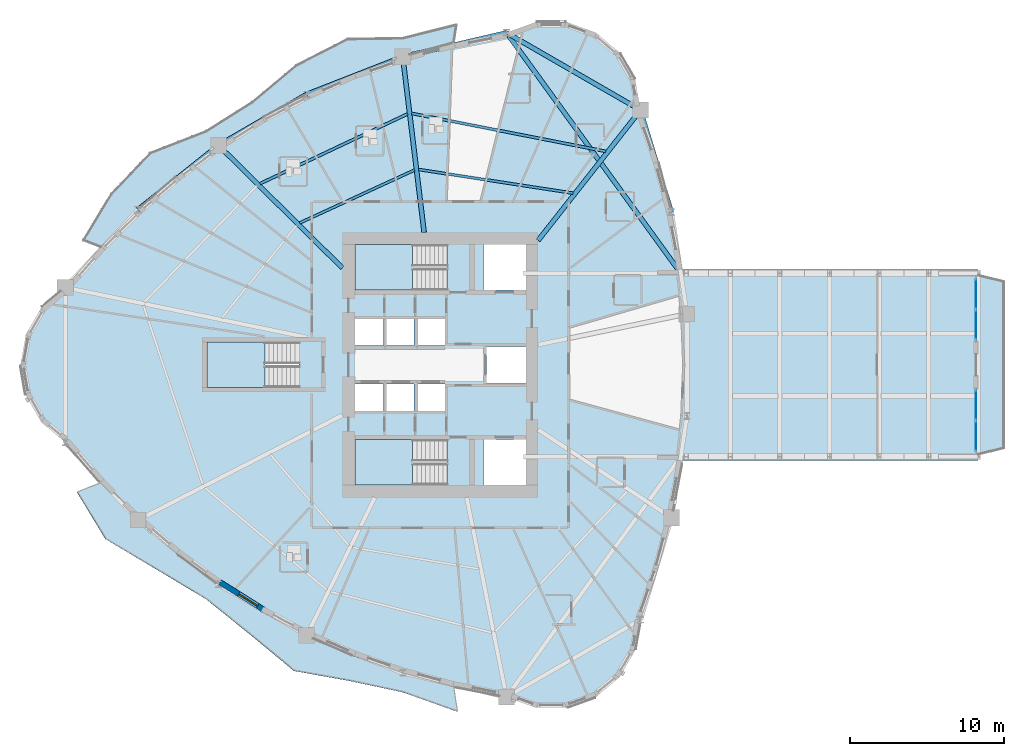
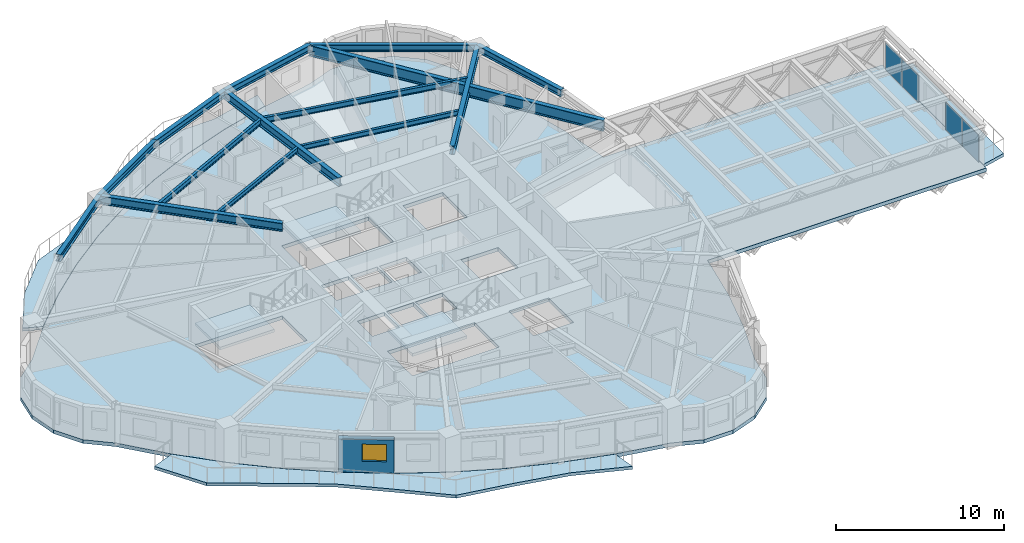
# One storey, part 3 of 16: 14 beams, 7 slabs, 4 plates, 1 wall, 1 window, 1 opening, 5 elements without a shape of their own.
"""IFC4 building model written with IfcOpenShell, lengths in metres."""

import ifcopenshell
import ifcopenshell.guid

model = None  # the IFC model being written
_history = None  # IfcOwnerHistory: only IFC2X3 demands one
_inside = {}  # id of a spatial element -> (the spatial element, [elements in it])
_under = {}  # id of a project, library or spatial element -> (it, [spatial elements below it])
_declared = {}  # id of a project -> (the project, [libraries it declares])
_typed = {}  # id of a type object -> (the type object, [elements of that type])
_made_of = {}  # id of a material, layer set ... -> (it, [elements and type objects made of it])


def new_model(schema):
    """Start an empty IFC model of exactly this schema.

    Asked for "IFC4X3", IfcOpenShell would pick the latest addendum, in which some entities
    have other attributes; the version numbers below select the first issue.
    IFC2X3 requires an IfcOwnerHistory on every rooted entity: one is made here for all.
    """
    global model, _history
    if schema == "IFC4X3":
        model = ifcopenshell.file(schema_version=(4, 3, 0, 0))
    else:
        model = ifcopenshell.file(schema=schema)
    _inside.clear()
    _under.clear()
    _declared.clear()
    _typed.clear()
    _made_of.clear()
    _history = None
    if model.schema == "IFC2X3":
        org = make("IfcOrganization", Name="unknown")
        user = make(
            "IfcPersonAndOrganization",
            ThePerson=make("IfcPerson", FamilyName="unknown"),
            TheOrganization=org,
        )
        app = make(
            "IfcApplication",
            ApplicationDeveloper=org,
            Version="unknown",
            ApplicationFullName="unknown",
            ApplicationIdentifier="unknown",
        )
        _history = make(
            "IfcOwnerHistory",
            OwningUser=user,
            OwningApplication=app,
            ChangeAction="ADDED",
            CreationDate=0,
        )
    return model


def make(cls, **values):
    """One entity of the class cls with the attributes given. An attribute that is None is left unset."""
    return model.create_entity(
        cls, **{name: value for name, value in values.items() if value is not None}
    )


def rooted(cls, **values):
    """An entity with a GlobalId (a new one), such as an element, a storey or a relation."""
    return make(cls, GlobalId=ifcopenshell.guid.new(), OwnerHistory=_history, **values)


def si_unit(unit_type, name, prefix=None):
    """IfcSIUnit, for example si_unit("LENGTHUNIT", "METRE", prefix="MILLI")."""
    return make("IfcSIUnit", UnitType=unit_type, Prefix=prefix, Name=name)


def assignment(units):
    """IfcUnitAssignment: the units of a project."""
    return None if units is None else make("IfcUnitAssignment", Units=units)


def point(xyz):
    """IfcCartesianPoint."""
    return None if xyz is None else make("IfcCartesianPoint", Coordinates=xyz)


def direction(xyz):
    """IfcDirection."""
    return None if xyz is None else make("IfcDirection", DirectionRatios=xyz)


def frame(location, z_axis=None, x_axis=None):
    """IfcAxis2Placement3D, a coordinate frame: its origin and axes. An axis left out is left unset."""
    return make(
        "IfcAxis2Placement3D",
        Location=point(location),
        Axis=direction(z_axis),
        RefDirection=direction(x_axis),
    )


def frame_2d(location, x_axis=None):
    """IfcAxis2Placement2D, a coordinate frame in the plane: its origin and x axis."""
    return make(
        "IfcAxis2Placement2D", Location=point(location), RefDirection=direction(x_axis)
    )


def origin():
    """The frame at (0, 0, 0) with its axes left unset."""
    return frame((0.0, 0.0, 0.0))


def origin_2d():
    """The frame at (0, 0) in the plane with its x axis left unset."""
    return frame_2d((0.0, 0.0))


def place(relative_to, where):
    """IfcLocalPlacement: puts the frame where relative to a parent placement (None: the world)."""
    return make(
        "IfcLocalPlacement", PlacementRelTo=relative_to, RelativePlacement=where
    )


def context(
    kind, dimensions, precision=None, world=None, true_north=None, identifier=None
):
    """IfcGeometricRepresentationContext, for example the 3D "Model" context."""
    return make(
        "IfcGeometricRepresentationContext",
        ContextIdentifier=identifier,
        ContextType=kind,
        CoordinateSpaceDimension=dimensions,
        Precision=precision,
        WorldCoordinateSystem=world,
        TrueNorth=true_north,
    )


def subcontext(parent, identifier, kind, view, scale=None):
    """IfcGeometricRepresentationSubContext, for example "Body" below "Model"."""
    return make(
        "IfcGeometricRepresentationSubContext",
        ContextIdentifier=identifier,
        ContextType=kind,
        ParentContext=parent,
        TargetScale=scale,
        TargetView=view,
    )


def project(units=None, contexts=None):
    """IfcProject with its units and contexts."""
    return rooted(
        "IfcProject",
        Name="project",
        RepresentationContexts=contexts,
        UnitsInContext=assignment(units),
    )


def spatial(cls, under=None, at=None, **own):
    """A site, building, storey or space (cls), placed at a placement, below another one or the project."""
    s = rooted(cls, ObjectPlacement=at, **own)
    if under is not None:
        _under.setdefault(under.id(), (under, []))[1].append(s)
    return s


def polyline(points):
    """IfcPolyline through the points."""
    return make("IfcPolyline", Points=[point(p) for p in points])


def profile(cls, at=None, kind="AREA", **sizes):
    """A parametric profile (cls). Its sizes go by their IFC names, for example OverallWidth=200.0."""
    return make(cls, ProfileType=kind, Position=at, **sizes)


def rectangle(**sizes):
    """IfcRectangleProfileDef."""
    return profile("IfcRectangleProfileDef", **sizes)


def i_section(**sizes):
    """IfcIShapeProfileDef."""
    return profile("IfcIShapeProfileDef", **sizes)


def outline(outer, holes=None, kind="AREA"):
    """IfcArbitraryClosedProfileDef: a profile drawn as a closed curve; with holes, ...WithVoids."""
    if holes is None:
        return make("IfcArbitraryClosedProfileDef", ProfileType=kind, OuterCurve=outer)
    return make(
        "IfcArbitraryProfileDefWithVoids",
        ProfileType=kind,
        OuterCurve=outer,
        InnerCurves=holes,
    )


def extrude(swept, where, along, depth):
    """IfcExtrudedAreaSolid: the profile swept, set in the frame where, extruded along a direction by depth."""
    return make(
        "IfcExtrudedAreaSolid",
        SweptArea=swept,
        Position=where,
        ExtrudedDirection=direction(along),
        Depth=depth,
    )


def shape(context_of_items, identifier, shape_type, items):
    """IfcShapeRepresentation: the items that make up one representation, for example the "Body"."""
    return make(
        "IfcShapeRepresentation",
        ContextOfItems=context_of_items,
        RepresentationIdentifier=identifier,
        RepresentationType=shape_type,
        Items=items,
    )


def source(mapping_origin, context_of_items, identifier, shape_type, items):
    """IfcRepresentationMap: a shape defined once, which mapped items show again and again."""
    return make(
        "IfcRepresentationMap",
        MappingOrigin=mapping_origin,
        MappedRepresentation=shape(context_of_items, identifier, shape_type, items),
    )


def transform(
    local_origin,
    x_axis=None,
    y_axis=None,
    z_axis=None,
    scale=None,
    scale2=None,
    scale3=None,
    uniform=True,
):
    """IfcCartesianTransformationOperator3D, or its non-uniform kind. x_axis, y_axis, z_axis: its Axis1, 2, 3."""
    if uniform:
        return make(
            "IfcCartesianTransformationOperator3D",
            Axis1=direction(x_axis),
            Axis2=direction(y_axis),
            LocalOrigin=point(local_origin),
            Scale=scale,
            Axis3=direction(z_axis),
        )
    return make(
        "IfcCartesianTransformationOperator3DnonUniform",
        Axis1=direction(x_axis),
        Axis2=direction(y_axis),
        LocalOrigin=point(local_origin),
        Scale=scale,
        Axis3=direction(z_axis),
        Scale2=scale2,
        Scale3=scale3,
    )


def mapped(mapping_source, mapping_target):
    """IfcMappedItem: shows the shape of a source again, moved by a transform."""
    return make(
        "IfcMappedItem", MappingSource=mapping_source, MappingTarget=mapping_target
    )


def material(Name=None, Category=None):
    """IfcMaterial."""
    return make("IfcMaterial", Name=Name, Category=Category)


def layer(
    of_material, thickness, ventilated=None, Name=None, Category=None, Priority=None
):
    """IfcMaterialLayer: one layer of a wall or slab, of a material (None: an air gap)."""
    return make(
        "IfcMaterialLayer",
        Material=of_material,
        LayerThickness=thickness,
        IsVentilated=ventilated,
        Name=Name,
        Category=Category,
        Priority=Priority,
    )


def layer_set(layers, Name=None):
    """IfcMaterialLayerSet."""
    return make("IfcMaterialLayerSet", MaterialLayers=layers, LayerSetName=Name)


def material_profile(
    of_material, cross_section, Name=None, Category=None, Priority=None
):
    """IfcMaterialProfile: a cross section and its material."""
    return make(
        "IfcMaterialProfile",
        Name=Name,
        Material=of_material,
        Profile=cross_section,
        Priority=Priority,
        Category=Category,
    )


def profile_set(profiles, Name=None, composite=None):
    """IfcMaterialProfileSet."""
    return make(
        "IfcMaterialProfileSet",
        Name=Name,
        MaterialProfiles=profiles,
        CompositeProfile=composite,
    )


def made_of(thing, what):
    """Note that an element or type object is made of a material, layer set ...; save() writes the relation."""
    if what is not None:
        _made_of.setdefault(what.id(), (what, []))[1].append(thing)
    return thing


def type_object(cls, material=None, **own):
    """A type object (cls), such as IfcWallType, which elements share."""
    return made_of(rooted(cls, **own), material)


def element(
    cls,
    number,
    at=None,
    inside=None,
    cuts=None,
    type_object=None,
    material=None,
    context=None,
    identifier="Body",
    shape_type=None,
    held_by="IfcProductDefinitionShape",
    body=None,
    shapes=None,
    **own,
):
    """One element of the class cls, such as IfcWall. Its Tag is "e" and its number.

    at: its placement. inside: the storey or other place that contains it. cuts: it is an
    opening in that element (IfcRelVoidsElement). A single representation is given by context,
    identifier, shape_type and body (its items); several are given by shapes. held_by: the class
    of the entity that holds the representations. save() writes the other relations.
    """
    e = rooted(cls, Tag="e%d" % number, ObjectPlacement=at, **own)
    if body is not None:
        shapes = [shape(context, identifier, shape_type, body)]
    if shapes is not None:
        e.Representation = make(held_by, Representations=shapes)
    if inside is not None:
        _inside.setdefault(inside.id(), (inside, []))[1].append(e)
    if cuts is not None:
        rooted(
            "IfcRelVoidsElement", RelatingBuildingElement=cuts, RelatedOpeningElement=e
        )
    if type_object is not None:
        _typed.setdefault(type_object.id(), (type_object, []))[1].append(e)
    return made_of(e, material)


def fill(opening, filler):
    """IfcRelFillsElement: the door or window that sits in an opening."""
    return rooted(
        "IfcRelFillsElement",
        RelatingOpeningElement=opening,
        RelatedBuildingElement=filler,
    )


def aggregate(whole, parts):
    """IfcRelAggregates: a whole, such as a stair, and the parts it consists of."""
    return rooted("IfcRelAggregates", RelatingObject=whole, RelatedObjects=parts)


def save(model, path):
    """Write the relations noted so far, then the file.

    IfcRelAggregates (storeys below a building ...), IfcRelContainedInSpatialStructure (elements
    in a storey), IfcRelDefinesByType, IfcRelAssociatesMaterial and IfcRelDeclares: one each for
    every whole, place, type object, material and project.
    """
    for whole, parts in _under.values():
        aggregate(whole, parts)
    for where, things in _inside.values():
        rooted(
            "IfcRelContainedInSpatialStructure",
            RelatedElements=things,
            RelatingStructure=where,
        )
    for kind, things in _typed.values():
        rooted("IfcRelDefinesByType", RelatedObjects=things, RelatingType=kind)
    for what, things in _made_of.values():
        rooted("IfcRelAssociatesMaterial", RelatedObjects=things, RelatingMaterial=what)
    for by, libraries in _declared.values():
        rooted("IfcRelDeclares", RelatingContext=by, RelatedDefinitions=libraries)
    model.write(path)


model = new_model("IFC4")

# Units and contexts
model_context = context("Model", 3, precision=1e-05, world=origin(), true_north=direction((0.0, 1.0)))
body_context = subcontext(model_context, "Body", "Model", "MODEL_VIEW")
ifc_project = project(units=[si_unit("LENGTHUNIT", "METRE"), si_unit("AREAUNIT", "SQUARE_METRE"), si_unit("VOLUMEUNIT", "CUBIC_METRE"), si_unit("PLANEANGLEUNIT", "RADIAN"), si_unit("MASSUNIT", "GRAM", prefix="KILO")], contexts=[model_context])

# Site, building, storey
site_placement = place(None, origin())
site = spatial("IfcSite", under=ifc_project, at=site_placement, CompositionType="ELEMENT")
building_placement = place(site_placement, origin())
building = spatial("IfcBuilding", under=site, at=building_placement, Name="Qafzar Sky-Pleat Residences", CompositionType="ELEMENT")
storey_placement = place(building_placement, frame((0.0, 0.0, 30.199951171875)))
storey = spatial("IfcBuildingStorey", under=building, at=storey_placement, Name="L08", CompositionType="ELEMENT", Elevation=30.199951171875)

# Beams
ifc_material_1 = material(Name="Steel S355", Category="steel")
ifc_material_profile_1 = material_profile(ifc_material_1, i_section(OverallWidth=0.300048828125, OverallDepth=0.5, WebThickness=0.014404296875, FlangeThickness=0.028076171875, FilletRadius=0.027099609375, at=origin_2d()), Name="HEB 500")
ifc_profile_set_1 = profile_set([ifc_material_profile_1], Name="Steel S355")
beam_type_1 = type_object("IfcBeamType", Name="BM-SPAN-HEB500", PredefinedType="SPANDREL", material=ifc_profile_set_1)
shared_shape_1 = source(origin(), body_context, "Body", "SweptSolid", [
    extrude(i_section(OverallWidth=0.300048828125, OverallDepth=0.5, WebThickness=0.014404296875, FlangeThickness=0.028076171875, FilletRadius=0.027099609375, at=origin_2d()), origin(), (0.0, 0.0, 1.0), 10.0458984375),
])
beam_1_placement = place(storey_placement, frame((43.344970703125, 42.532470703125, 2.68310546875), z_axis=(-0.866024107753, 0.500002244785, 0.0), x_axis=(-0.500002244785, -0.866024107753, 0.0)))
element("IfcBeam", 1, at=beam_1_placement, inside=storey, type_object=beam_type_1, Name="L08 Perimeter Spandrel Beam 13", PredefinedType="SPANDREL", context=body_context, shape_type="MappedRepresentation", body=[
    mapped(shared_shape_1, transform((0.0, 0.0, 0.0), x_axis=(1.0, 0.0, 0.0), y_axis=(0.0, 1.0, 0.0), z_axis=(0.0, 0.0, 1.0), scale=1.0)),
])
shared_shape_2 = source(origin(), body_context, "Body", "SweptSolid", [
    extrude(i_section(OverallWidth=0.300048828125, OverallDepth=0.5, WebThickness=0.014404296875, FlangeThickness=0.028076171875, FilletRadius=0.027099609375, at=origin_2d()), origin(), (0.0, 0.0, 1.0), 6.689208984375),
])
beam_2_placement = place(storey_placement, frame((15.956298828125, 40.247314453125, 2.68310546875), z_axis=(-0.781064615855, -0.624450210872, 0.0), x_axis=(0.624450210872, -0.781064615855, 0.0)))
element("IfcBeam", 2, at=beam_2_placement, inside=storey, type_object=beam_type_1, Name="L08 Perimeter Spandrel Beam 17", PredefinedType="SPANDREL", context=body_context, shape_type="MappedRepresentation", body=[
    mapped(shared_shape_2, transform((0.0, 0.0, 0.0), x_axis=(1.0, 0.0, 0.0), y_axis=(0.0, 1.0, 0.0), z_axis=(0.0, 0.0, 1.0), scale=1.0)),
])
shared_shape_3 = source(origin(), body_context, "Body", "SweptSolid", [
    extrude(i_section(OverallWidth=0.300048828125, OverallDepth=0.5, WebThickness=0.014404296875, FlangeThickness=0.028076171875, FilletRadius=0.027099609375, at=origin_2d()), origin(), (0.0, 0.0, 1.0), 6.61279296875),
])
beam_3_placement = place(storey_placement, frame((21.68310546875, 43.553955078125, 2.68310546875), z_axis=(-0.866007902399, -0.500030312064, 0.0), x_axis=(0.500030312064, -0.866007902399, 0.0)))
element("IfcBeam", 3, at=beam_3_placement, inside=storey, type_object=beam_type_1, Name="L08 Perimeter Spandrel Beam 16", PredefinedType="SPANDREL", context=body_context, shape_type="MappedRepresentation", body=[
    mapped(shared_shape_3, transform((0.0, 0.0, 0.0), x_axis=(1.0, 0.0, 0.0), y_axis=(0.0, 1.0, 0.0), z_axis=(0.0, 0.0, 1.0), scale=1.0)),
])
shared_shape_4 = source(origin(), body_context, "Body", "SweptSolid", [
    extrude(i_section(OverallWidth=0.300048828125, OverallDepth=0.5, WebThickness=0.014404296875, FlangeThickness=0.028076171875, FilletRadius=0.027099609375, at=origin_2d()), origin(), (0.0, 0.0, 1.0), 6.68896484375),
])
beam_4_placement = place(storey_placement, frame((27.912841796875, 45.989990234375, 2.68310546875), z_axis=(-0.931328375536, -0.364180527927, 0.0), x_axis=(0.364180527927, -0.931328375536, 0.0)))
element("IfcBeam", 4, at=beam_4_placement, inside=storey, type_object=beam_type_1, Name="L08 Perimeter Spandrel Beam 15", PredefinedType="SPANDREL", context=body_context, shape_type="MappedRepresentation", body=[
    mapped(shared_shape_4, transform((0.0, 0.0, 0.0), x_axis=(1.0, 0.0, 0.0), y_axis=(0.0, 1.0, 0.0), z_axis=(0.0, 0.0, 1.0), scale=1.0)),
])
shared_shape_5 = source(origin(), body_context, "Body", "SweptSolid", [
    extrude(i_section(OverallWidth=0.300048828125, OverallDepth=0.5, WebThickness=0.014404296875, FlangeThickness=0.028076171875, FilletRadius=0.027099609375, at=origin_2d()), origin(), (0.0, 0.0, 1.0), 6.911865234375),
])
for number, where, z_axis, x_axis, name in (
    (5, (45.355224609375, 35.91943359375, 2.68310546875), (-0.290842539179, 0.956770932566, 0.0), (-0.956770932566, -0.290842539179, 0.0), "L08 Perimeter Spandrel Beam 12"),
    (6, (34.64501953125, 47.555419921875, 2.68310546875), (-0.97401418861, -0.226486998273, 0.0), (0.226486998273, -0.97401418861, 0.0), "L08 Perimeter Spandrel Beam 14"),
):
    element("IfcBeam", number, at=place(storey_placement, frame(where, z_axis=z_axis, x_axis=x_axis)), inside=storey, type_object=beam_type_1, Name=name, PredefinedType="SPANDREL", context=body_context, shape_type="MappedRepresentation", body=[
        mapped(shared_shape_5, transform((0.0, 0.0, 0.0), x_axis=(1.0, 0.0, 0.0), y_axis=(0.0, 1.0, 0.0), z_axis=(0.0, 0.0, 1.0), scale=1.0)),
    ])
ifc_material_profile_2 = material_profile(ifc_material_1, i_section(OverallWidth=0.300048828125, OverallDepth=0.60009765625, WebThickness=0.015380859375, FlangeThickness=0.030029296875, FilletRadius=0.027099609375, at=origin_2d()), Name="HEB 600")
ifc_profile_set_2 = profile_set([ifc_material_profile_2], Name="Steel S355")
beam_type_2 = type_object("IfcBeamType", Name="BM-GIRD-HEB600", PredefinedType="BEAM", material=ifc_profile_set_2)
shared_shape_6 = source(origin(), body_context, "Body", "SweptSolid", [
    extrude(i_section(OverallWidth=0.300048828125, OverallDepth=0.60009765625, WebThickness=0.015380859375, FlangeThickness=0.030029296875, FilletRadius=0.027099609375, at=origin_2d()), origin(), (0.0, 0.0, 1.0), 10.7529296875),
])
beam_5_placement = place(storey_placement, frame((43.344970703125, 42.532470703125, 2.633056640625), z_axis=(-0.617976963314, -0.786196205036, 0.0), x_axis=(0.786196205036, -0.617976963314, 0.0)))
element("IfcBeam", 7, at=beam_5_placement, inside=storey, type_object=beam_type_2, Name="L08 Radial Floor Girder 13", PredefinedType="BEAM", context=body_context, shape_type="MappedRepresentation", body=[
    mapped(shared_shape_6, transform((0.0, 0.0, 0.0), x_axis=(1.0, 0.0, 0.0), y_axis=(0.0, 1.0, 0.0), z_axis=(0.0, 0.0, 1.0), scale=1.0)),
])
shared_shape_7 = source(origin(), body_context, "Body", "SweptSolid", [
    extrude(i_section(OverallWidth=0.300048828125, OverallDepth=0.60009765625, WebThickness=0.015380859375, FlangeThickness=0.030029296875, FilletRadius=0.027099609375, at=origin_2d()), origin(), (0.0, 0.0, 1.0), 11.47412109375),
])
beam_6_placement = place(storey_placement, frame((27.912841796875, 45.989990234375, 2.633056640625), z_axis=(0.121025228115, -0.992649431652, 0.0), x_axis=(0.992649431652, 0.121025228115, 0.0)))
element("IfcBeam", 8, at=beam_6_placement, inside=storey, type_object=beam_type_2, Name="L08 Radial Floor Girder 15", PredefinedType="BEAM", context=body_context, shape_type="MappedRepresentation", body=[
    mapped(shared_shape_7, transform((0.0, 0.0, 0.0), x_axis=(1.0, 0.0, 0.0), y_axis=(0.0, 1.0, 0.0), z_axis=(0.0, 0.0, 1.0), scale=1.0)),
])
shared_shape_8 = source(origin(), body_context, "Body", "SweptSolid", [
    extrude(i_section(OverallWidth=0.300048828125, OverallDepth=0.60009765625, WebThickness=0.015380859375, FlangeThickness=0.030029296875, FilletRadius=0.027099609375, at=origin_2d()), origin(), (0.0, 0.0, 1.0), 11.31787109375),
])
beam_7_placement = place(storey_placement, frame((15.956298828125, 40.247314453125, 2.633056640625), z_axis=(0.710710748184, -0.703484351224, 0.0), x_axis=(0.703484351224, 0.710710748184, 0.0)))
element("IfcBeam", 9, at=beam_7_placement, inside=storey, type_object=beam_type_2, Name="L08 Radial Floor Girder 17", PredefinedType="BEAM", context=body_context, shape_type="MappedRepresentation", body=[
    mapped(shared_shape_8, transform((0.0, 0.0, 0.0), x_axis=(1.0, 0.0, 0.0), y_axis=(0.0, 1.0, 0.0), z_axis=(0.0, 0.0, 1.0), scale=1.0)),
])
ifc_material_profile_3 = material_profile(ifc_material_1, i_section(OverallWidth=0.179931640625, OverallDepth=0.39990234375, WebThickness=0.008544921875, FlangeThickness=0.013427734375, FilletRadius=0.02099609375, at=origin_2d()), Name="IPE 400")
ifc_profile_set_3 = profile_set([ifc_material_profile_3], Name="Steel S355")
beam_type_3 = type_object("IfcBeamType", Name="BM-JST-IPE400", PredefinedType="JOIST", material=ifc_profile_set_3)
shared_shape_9 = source(origin(), body_context, "Body", "SweptSolid", [
    extrude(i_section(OverallWidth=0.179931640625, OverallDepth=0.39990234375, WebThickness=0.008544921875, FlangeThickness=0.013427734375, FilletRadius=0.02099609375, at=origin_2d()), origin(), (0.0, 0.0, 1.0), 12.83544921875),
])
beam_8_placement = place(storey_placement, frame((41.086181640625, 39.85302734375, 2.733154296875), z_axis=(-0.98136997389, 0.192127495034, 0.0), x_axis=(-0.192127495034, -0.98136997389, 0.0)))
element("IfcBeam", 10, at=beam_8_placement, inside=storey, type_object=beam_type_3, Name="L08 Outer Secondary Floor Joist 7", PredefinedType="JOIST", context=body_context, shape_type="MappedRepresentation", body=[
    mapped(shared_shape_9, transform((0.0, 0.0, 0.0), x_axis=(1.0, 0.0, 0.0), y_axis=(0.0, 1.0, 0.0), z_axis=(0.0, 0.0, 1.0), scale=1.0)),
])
shared_shape_10 = source(origin(), body_context, "Body", "SweptSolid", [
    extrude(i_section(OverallWidth=0.179931640625, OverallDepth=0.39990234375, WebThickness=0.008544921875, FlangeThickness=0.013427734375, FilletRadius=0.02099609375, at=origin_2d()), origin(), (0.0, 0.0, 1.0), 10.599609375),
])
beam_9_placement = place(storey_placement, frame((28.235107421875, 42.287353515625, 2.733154296875), z_axis=(-0.904072428316, -0.427379274602, 0.0), x_axis=(0.427379274602, -0.904072428316, 0.0)))
element("IfcBeam", 11, at=beam_9_placement, inside=storey, type_object=beam_type_3, Name="L08 Outer Secondary Floor Joist 8", PredefinedType="JOIST", context=body_context, shape_type="MappedRepresentation", body=[
    mapped(shared_shape_10, transform((0.0, 0.0, 0.0), x_axis=(1.0, 0.0, 0.0), y_axis=(0.0, 1.0, 0.0), z_axis=(0.0, 0.0, 1.0), scale=1.0)),
])
ifc_material_profile_4 = material_profile(ifc_material_1, i_section(OverallWidth=0.169921875, OverallDepth=0.360107421875, WebThickness=0.008056640625, FlangeThickness=0.0126953125, FilletRadius=0.01806640625, at=origin_2d()), Name="IPE 360")
ifc_profile_set_4 = profile_set([ifc_material_profile_4], Name="Steel S355")
beam_type_4 = type_object("IfcBeamType", Name="BM-JST-IPE360", PredefinedType="JOIST", material=ifc_profile_set_4)
shared_shape_11 = source(origin(), body_context, "Body", "SweptSolid", [
    extrude(i_section(OverallWidth=0.169921875, OverallDepth=0.360107421875, WebThickness=0.008056640625, FlangeThickness=0.0126953125, FilletRadius=0.01806640625, at=origin_2d()), origin(), (0.0, 0.0, 1.0), 10.140869140625),
])
beam_10_placement = place(storey_placement, frame((38.958740234375, 37.142333984375, 2.7529296875), z_axis=(-0.988438399373, 0.15162298851, 0.0), x_axis=(-0.15162298851, -0.988438399373, 0.0)))
element("IfcBeam", 12, at=beam_10_placement, inside=storey, type_object=beam_type_4, Name="L08 Inner Secondary Floor Joist 7", PredefinedType="JOIST", context=body_context, shape_type="MappedRepresentation", body=[
    mapped(shared_shape_11, transform((0.0, 0.0, 0.0), x_axis=(1.0, 0.0, 0.0), y_axis=(0.0, 1.0, 0.0), z_axis=(0.0, 0.0, 1.0), scale=1.0)),
])
shared_shape_12 = source(origin(), body_context, "Body", "SweptSolid", [
    extrude(i_section(OverallWidth=0.169921875, OverallDepth=0.360107421875, WebThickness=0.008056640625, FlangeThickness=0.0126953125, FilletRadius=0.01806640625, at=origin_2d()), origin(), (0.0, 0.0, 1.0), 8.2060546875),
])
beam_11_placement = place(storey_placement, frame((28.678955078125, 38.643798828125, 2.7529296875), z_axis=(-0.908140422144, -0.418665706343, 0.0), x_axis=(0.418665706343, -0.908140422144, 0.0)))
element("IfcBeam", 13, at=beam_11_placement, inside=storey, type_object=beam_type_4, Name="L08 Inner Secondary Floor Joist 8", PredefinedType="JOIST", context=body_context, shape_type="MappedRepresentation", body=[
    mapped(shared_shape_12, transform((0.0, 0.0, 0.0), x_axis=(1.0, 0.0, 0.0), y_axis=(0.0, 1.0, 0.0), z_axis=(0.0, 0.0, 1.0), scale=1.0)),
])
ifc_material_2 = material(Name="Steel S460", Category="steel")
ifc_material_profile_5 = material_profile(ifc_material_2, i_section(OverallWidth=0.300048828125, OverallDepth=0.800048828125, WebThickness=0.017578125, FlangeThickness=0.032958984375, FilletRadius=0.030029296875, at=origin_2d()), Name="HEB 800")
ifc_profile_set_5 = profile_set([ifc_material_profile_5], Name="Steel S460")
beam_type_5 = type_object("IfcBeamType", Name="BM-CHORD-HEB800", PredefinedType="BEAM", material=ifc_profile_set_5)
shared_shape_13 = source(origin(), body_context, "Body", "SweptSolid", [
    extrude(i_section(OverallWidth=0.300048828125, OverallDepth=0.800048828125, WebThickness=0.017578125, FlangeThickness=0.032958984375, FilletRadius=0.030029296875, at=origin_2d()), origin(), (0.0, 0.0, 1.0), 19.27001953125),
])
beam_12_placement = place(storey_placement, frame((34.64501953125, 47.555419921875, 2.532958984375), z_axis=(0.586660264458, -0.809833152017, 0.0), x_axis=(0.809833152017, 0.586660264458, 0.0)))
element("IfcBeam", 14, at=beam_12_placement, inside=storey, type_object=beam_type_5, Name="L08 SB-1 Wing-Belt Top Chord L", PredefinedType="BEAM", context=body_context, shape_type="MappedRepresentation", body=[
    mapped(shared_shape_13, transform((0.0, 0.0, 0.0), x_axis=(1.0, 0.0, 0.0), y_axis=(0.0, 1.0, 0.0), z_axis=(0.0, 0.0, 1.0), scale=1.0)),
])

# Slabs
ifc_material_3 = material(Name="Concrete C40/50", Category="concrete")
ifc_layer_1 = layer(ifc_material_3, 0.219970703125)
ifc_layer_set_1 = layer_set([ifc_layer_1], Name="Concrete C40/50")
slab_type_1 = type_object("IfcSlabType", Name="SLAB-BAL-220", PredefinedType="USERDEFINED", material=ifc_layer_set_1)
slab_1_placement = place(storey_placement, frame((0.0, 0.0, -0.219970703125)))
element("IfcSlab", 15, at=slab_1_placement, inside=storey, type_object=slab_type_1, Name="L08 Pleated Stone Balcony 1", ObjectType="BALCONY", PredefinedType="USERDEFINED", context=body_context, shape_type="SweptSolid", body=[
    extrude(outline(polyline([(27.91259765625, 46.001953125), (24.733154296875, 44.892578125), (21.67919921875, 43.565185546875), (18.7509765625, 42.02001953125), (15.948486328125, 40.256591796875), (13.27197265625, 38.275390625), (10.721435546875, 36.076416015625), (8.296875, 33.659912109375), (7.14306640625, 34.1083984375), (8.9609375, 37.10302734375), (11.4814453125, 39.767578125), (15.149169921875, 41.201904296875), (18.1318359375, 43.092041015625), (20.989013671875, 45.48291015625), (24.3359375, 47.189208984375), (27.9072265625, 47.239990234375), (31.406494140625, 48.11669921875), (31.218017578125, 46.893310546875), (27.91259765625, 46.001953125)])), origin(), (0.0, 0.0, 1.0), 0.219970703125),
])
slab_2_placement = place(storey_placement, frame((0.0, 0.0, -0.219970703125)))
element("IfcSlab", 16, at=slab_2_placement, inside=storey, type_object=slab_type_1, Name="L08 Pleated Stone Balcony 2", ObjectType="BALCONY", PredefinedType="USERDEFINED", context=body_context, shape_type="SweptSolid", body=[
    extrude(outline(polyline([(10.721435546875, 15.923583984375), (13.27197265625, 13.724609375), (15.948486328125, 11.743408203125), (18.7509765625, 9.97998046875), (21.67919921875, 8.434814453125), (24.733154296875, 7.107421875), (27.91259765625, 5.998046875), (31.218017578125, 5.106689453125), (31.46728515625, 3.48779296875), (27.9072265625, 4.760009765625), (24.4541015625, 5.493408203125), (20.853515625, 6.140869140625), (17.931884765625, 8.5615234375), (15.149169921875, 10.798095703125), (12.013671875, 12.67578125), (8.615478515625, 14.6953125), (6.770263671875, 17.74658203125), (8.296875, 18.340087890625), (10.721435546875, 15.923583984375)])), origin(), (0.0, 0.0, 1.0), 0.219970703125),
])
ifc_layer_2 = layer(ifc_material_3, 0.22998046875)
ifc_layer_set_2 = layer_set([ifc_layer_2], Name="Concrete C40/50")
slab_type_2 = type_object("IfcSlabType", Name="SLAB-BAL-230", PredefinedType="USERDEFINED", material=ifc_layer_set_2)
slab_3_placement = place(storey_placement, frame((0.0, 0.0, -0.22998046875)))
element("IfcSlab", 17, at=slab_3_placement, inside=storey, type_object=slab_type_2, Name="L08 SB-1 Tip Observation Balcony", ObjectType="BALCONY", PredefinedType="USERDEFINED", context=body_context, shape_type="SweptSolid", body=[
    extrude(outline(polyline([(65.26953125, 20.199951171875), (66.904541015625, 20.60009765625), (66.904541015625, 31.39990234375), (65.26953125, 31.800048828125), (65.26953125, 20.199951171875)])), origin(), (0.0, 0.0, 1.0), 0.22998046875),
])

# Stair, slab
stair_type = type_object("IfcStairType", Name="STAIR-H320", PredefinedType="HALF_TURN_STAIR", material=ifc_material_3)
stair_1_placement = place(storey_placement, origin())
stair_1 = element("IfcStair", 18, at=stair_1_placement, inside=storey, type_object=stair_type, Name="L08 Protected Exit Stair ST1", PredefinedType="HALF_TURN_STAIR")
ifc_layer_3 = layer(ifc_material_3, 0.199951171875)
ifc_layer_set_3 = layer_set([ifc_layer_3], Name="Concrete C40/50")
slab_type_3 = type_object("IfcSlabType", Name="SLAB-LANDING-200", PredefinedType="LANDING", material=ifc_layer_set_3)
slab_4_placement = place(storey_placement, frame((0.0, 0.0, 1.400146484375)))
slab_4 = element("IfcSlab", 19, at=slab_4_placement, type_object=slab_type_3, Name="ST1 landing 1", PredefinedType="LANDING", context=body_context, shape_type="SweptSolid", body=[
    extrude(outline(polyline([(28.56005859375, 21.14990234375), (24.800048828125, 21.14990234375), (24.800048828125, 18.199951171875), (28.56005859375, 18.199951171875), (28.56005859375, 21.14990234375)])), origin(), (0.0, 0.0, 1.0), 0.199951171875),
])
aggregate(stair_1, [slab_4])

stair_2_placement = place(storey_placement, origin())
stair_2 = element("IfcStair", 20, at=stair_2_placement, inside=storey, type_object=stair_type, Name="L08 Protected Exit Stair ST2", PredefinedType="HALF_TURN_STAIR")
slab_5_placement = place(storey_placement, frame((0.0, 0.0, 1.400146484375)))
slab_5 = element("IfcSlab", 21, at=slab_5_placement, type_object=slab_type_3, Name="ST2 landing 1", PredefinedType="LANDING", context=body_context, shape_type="SweptSolid", body=[
    extrude(outline(polyline([(28.56005859375, 33.800048828125), (24.800048828125, 33.800048828125), (24.800048828125, 30.85009765625), (28.56005859375, 30.85009765625), (28.56005859375, 33.800048828125)])), origin(), (0.0, 0.0, 1.0), 0.199951171875),
])
aggregate(stair_2, [slab_5])

stair_3_placement = place(storey_placement, origin())
stair_3 = element("IfcStair", 22, at=stair_3_placement, inside=storey, type_object=stair_type, Name="L08 Protected Exit Stair ST3", PredefinedType="HALF_TURN_STAIR")
slab_6_placement = place(storey_placement, frame((0.0, 0.0, 1.400146484375)))
slab_6 = element("IfcSlab", 23, at=slab_6_placement, type_object=slab_type_3, Name="ST3 landing 1", PredefinedType="LANDING", context=body_context, shape_type="SweptSolid", body=[
    extrude(outline(polyline([(18.9599609375, 27.47509765625), (15.199951171875, 27.47509765625), (15.199951171875, 24.52490234375), (18.9599609375, 24.52490234375), (18.9599609375, 27.47509765625)])), origin(), (0.0, 0.0, 1.0), 0.199951171875),
])
aggregate(stair_3, [slab_6])

# Slab
ifc_layer_4 = layer(ifc_material_3, 0.264892578125)
ifc_layer_set_4 = layer_set([ifc_layer_4], Name="Concrete C40/50")
slab_type_4 = type_object("IfcSlabType", Name="SLAB-SB-265", PredefinedType="FLOOR", material=ifc_layer_set_4)
slab_7_placement = place(storey_placement, frame((0.0, 0.0, -0.264892578125)))
element("IfcSlab", 24, at=slab_7_placement, inside=storey, type_object=slab_type_4, Name="L08 Structural Floor Slab", PredefinedType="FLOOR", context=body_context, shape_type="SweptSolid", body=[
    extrude(outline(polyline([(45.983642578125, 19.386962890625), (45.355224609375, 16.08056640625), (44.475830078125, 12.774169921875), (43.344970703125, 9.467529296875), (42.9951171875, 7.48388671875), (41.988037109375, 5.739501953125), (40.445068359375, 4.444580078125), (38.55224609375, 3.755615234375), (36.537841796875, 3.755615234375), (34.64501953125, 4.444580078125), (31.216064453125, 5.11865234375), (27.912841796875, 6.010009765625), (24.735107421875, 7.119384765625), (21.68310546875, 8.446044921875), (18.7568359375, 9.990478515625), (15.956298828125, 11.752685546875), (13.28125, 13.732421875), (10.731689453125, 15.9296875), (8.30810546875, 18.344482421875), (6.010009765625, 20.97705078125), (4.466796875, 22.271728515625), (3.459716796875, 24.016357421875), (3.110107421875, 26.0), (3.459716796875, 27.983642578125), (4.466796875, 29.728271484375), (6.010009765625, 31.02294921875), (8.30810546875, 33.655517578125), (10.731689453125, 36.0703125), (13.28125, 38.267578125), (15.956298828125, 40.247314453125), (18.7568359375, 42.009521484375), (21.68310546875, 43.553955078125), (24.735107421875, 44.880615234375), (27.912841796875, 45.989990234375), (31.216064453125, 46.88134765625), (34.64501953125, 47.555419921875), (36.537841796875, 48.244384765625), (38.55224609375, 48.244384765625), (40.445068359375, 47.555419921875), (41.988037109375, 46.260498046875), (42.9951171875, 44.51611328125), (43.344970703125, 42.532470703125), (44.475830078125, 39.225830078125), (45.355224609375, 35.91943359375), (45.983642578125, 32.613037109375), (46.03076171875, 32.199951171875), (65.25439453125, 32.199951171875), (65.25439453125, 19.800048828125), (46.03076171875, 19.800048828125), (45.983642578125, 19.386962890625)]), holes=[polyline([(30.797119140625, 21.14990234375), (24.800048828125, 21.14990234375), (24.800048828125, 18.199951171875), (30.797119140625, 18.199951171875), (30.797119140625, 21.14990234375)]), polyline([(30.797119140625, 33.800048828125), (24.800048828125, 33.800048828125), (24.800048828125, 30.85009765625), (30.797119140625, 30.85009765625), (30.797119140625, 33.800048828125)]), polyline([(21.197021484375, 27.47509765625), (15.199951171875, 27.47509765625), (15.199951171875, 24.52490234375), (21.197021484375, 24.52490234375), (21.197021484375, 27.47509765625)]), polyline([(24.800048828125, 22.949951171875), (26.64990234375, 22.949951171875), (26.64990234375, 24.75), (24.800048828125, 24.75), (24.800048828125, 22.949951171875)]), polyline([(26.800048828125, 22.949951171875), (28.64990234375, 22.949951171875), (28.64990234375, 24.75), (26.800048828125, 24.75), (26.800048828125, 22.949951171875)]), polyline([(28.800048828125, 22.949951171875), (30.64990234375, 22.949951171875), (30.64990234375, 24.75), (28.800048828125, 24.75), (28.800048828125, 22.949951171875)]), polyline([(24.800048828125, 27.25), (26.64990234375, 27.25), (26.64990234375, 29.050048828125), (24.800048828125, 29.050048828125), (24.800048828125, 27.25)]), polyline([(26.800048828125, 27.25), (28.64990234375, 27.25), (28.64990234375, 29.050048828125), (26.800048828125, 29.050048828125), (26.800048828125, 27.25)]), polyline([(28.800048828125, 27.25), (30.64990234375, 27.25), (30.64990234375, 29.050048828125), (28.800048828125, 29.050048828125), (28.800048828125, 27.25)]), polyline([(33.14990234375, 18.199951171875), (35.89990234375, 18.199951171875), (35.89990234375, 21.14990234375), (33.14990234375, 21.14990234375), (33.14990234375, 18.199951171875)]), polyline([(33.14990234375, 30.85009765625), (35.89990234375, 30.85009765625), (35.89990234375, 33.800048828125), (33.14990234375, 33.800048828125), (33.14990234375, 30.85009765625)]), polyline([(33.35009765625, 24.800048828125), (35.89990234375, 24.800048828125), (35.89990234375, 27.199951171875), (33.35009765625, 27.199951171875), (33.35009765625, 24.800048828125)])]), origin(), (0.0, 0.0, 1.0), 0.264892578125),
])

# Curtain wall, plates
ifc_material_4 = material(Name="Anodised bronze aluminium framing", Category="aluminium")
ifc_layer_5 = layer(ifc_material_4, 0.239990234375)
ifc_layer_set_5 = layer_set([ifc_layer_5], Name="Anodised bronze aluminium framing")
curtain_wall_type_1 = type_object("IfcCurtainWallType", Name="CW-SYS-02", PredefinedType="NOTDEFINED", material=ifc_layer_set_5)
curtain_wall_1_placement = place(storey_placement, origin())
curtain_wall_1 = element("IfcCurtainWall", 25, at=curtain_wall_1_placement, inside=storey, type_object=curtain_wall_type_1, Name="L08 CW-02 Curtain Wall CW-L08-SB-1-PROW-L", PredefinedType="NOTDEFINED")
ifc_material_5 = material(Name="Solar-control double low-E glazing", Category="glass")
ifc_layer_6 = layer(ifc_material_5, 0.031982421875)
ifc_layer_set_6 = layer_set([ifc_layer_6], Name="Solar-control double low-E glazing")
plate_type_1 = type_object("IfcPlateType", Name="CWP-02", PredefinedType="CURTAIN_PANEL", material=ifc_layer_set_6)
shared_shape_14 = source(origin(), body_context, "Body", "SweptSolid", [
    extrude(rectangle(XDim=1.927490234375, YDim=0.031982421875, at=origin_2d()), origin(), (0.0, 0.0, 1.0), 1.965087890625),
])
plate_1_placement = place(storey_placement, frame((65.1044921875, 30.601318359375, 0.0751953125), z_axis=(0.0, 0.0, 1.0), x_axis=(0.0, -1.0, 0.0)))
plate_1 = element("IfcPlate", 26, at=plate_1_placement, type_object=plate_type_1, Name="CW-02 panel 1.1", PredefinedType="CURTAIN_PANEL", context=body_context, shape_type="MappedRepresentation", body=[
    mapped(shared_shape_14, transform((0.0, 0.0, 0.0), x_axis=(1.0, 0.0, 0.0), y_axis=(0.0, 1.0, 0.0), z_axis=(0.0, 0.0, 1.0), scale=1.0)),
])
plate_2_placement = place(storey_placement, frame((65.1044921875, 28.5986328125, 0.0751953125), z_axis=(0.0, 0.0, 1.0), x_axis=(0.0, -1.0, 0.0)))
plate_2 = element("IfcPlate", 27, at=plate_2_placement, type_object=plate_type_1, Name="CW-02 panel 2.1", PredefinedType="CURTAIN_PANEL", context=body_context, shape_type="MappedRepresentation", body=[
    mapped(shared_shape_14, transform((0.0, 0.0, 0.0), x_axis=(1.0, 0.0, 0.0), y_axis=(0.0, 1.0, 0.0), z_axis=(0.0, 0.0, 1.0), scale=1.0)),
])
aggregate(curtain_wall_1, [plate_1, plate_2])

ifc_layer_7 = layer(ifc_material_4, 0.219970703125)
ifc_layer_set_7 = layer_set([ifc_layer_7], Name="Anodised bronze aluminium framing")
curtain_wall_type_2 = type_object("IfcCurtainWallType", Name="CW-SYS-03", PredefinedType="NOTDEFINED", material=ifc_layer_set_7)
curtain_wall_2_placement = place(storey_placement, origin())
curtain_wall_2 = element("IfcCurtainWall", 28, at=curtain_wall_2_placement, inside=storey, type_object=curtain_wall_type_2, Name="L08 CW-03 Curtain Wall CW-L08-SB-1-PROW-R", PredefinedType="NOTDEFINED")
ifc_layer_8 = layer(ifc_material_5, 0.030029296875)
ifc_layer_set_8 = layer_set([ifc_layer_8], Name="Solar-control double low-E glazing")
plate_type_2 = type_object("IfcPlateType", Name="CWP-03", PredefinedType="CURTAIN_PANEL", material=ifc_layer_set_8)
shared_shape_15 = source(origin(), body_context, "Body", "SweptSolid", [
    extrude(rectangle(XDim=1.93505859375, YDim=0.030029296875, at=origin_2d()), origin(), (0.0, 0.0, 1.0), 1.97509765625),
])
plate_3_placement = place(storey_placement, frame((65.1044921875, 23.402587890625, 0.070068359375), z_axis=(0.0, 0.0, 1.0), x_axis=(0.0, -1.0, 0.0)))
plate_3 = element("IfcPlate", 29, at=plate_3_placement, type_object=plate_type_2, Name="CW-03 panel 1.1", PredefinedType="CURTAIN_PANEL", context=body_context, shape_type="MappedRepresentation", body=[
    mapped(shared_shape_15, transform((0.0, 0.0, 0.0), x_axis=(1.0, 0.0, 0.0), y_axis=(0.0, 1.0, 0.0), z_axis=(0.0, 0.0, 1.0), scale=1.0)),
])
plate_4_placement = place(storey_placement, frame((65.1044921875, 21.3974609375, 0.070068359375), z_axis=(0.0, 0.0, 1.0), x_axis=(0.0, -1.0, 0.0)))
plate_4 = element("IfcPlate", 30, at=plate_4_placement, type_object=plate_type_2, Name="CW-03 panel 2.1", PredefinedType="CURTAIN_PANEL", context=body_context, shape_type="MappedRepresentation", body=[
    mapped(shared_shape_15, transform((0.0, 0.0, 0.0), x_axis=(1.0, 0.0, 0.0), y_axis=(0.0, 1.0, 0.0), z_axis=(0.0, 0.0, 1.0), scale=1.0)),
])
aggregate(curtain_wall_2, [plate_3, plate_4])

# Wall, opening, window
ifc_material_6 = material(Name="Precast concrete C40/50 with honed Riyadh limestone", Category="concrete")
ifc_layer_9 = layer(ifc_material_6, 0.35009765625)
ifc_layer_set_9 = layer_set([ifc_layer_9], Name="Precast concrete C40/50 with honed Riyadh limestone")
wall_type = type_object("IfcWallType", Name="WALL-EXT-350", PredefinedType="SOLIDWALL", material=ifc_layer_set_9)
wall_placement = place(storey_placement, frame((16.06640625, 11.89013671875, 0.0), z_axis=(0.0, 0.0, 1.0), x_axis=(0.846403135518, -0.532542704565, 0.0)))
wall = element("IfcWall", 31, at=wall_placement, inside=storey, type_object=wall_type, Name="L08 Limestone Facade Wall 11", PredefinedType="SOLIDWALL", context=body_context, shape_type="SweptSolid", body=[
    extrude(rectangle(XDim=3.326904296875, YDim=0.35009765625, at=frame_2d((1.66357421875, 0.0))), origin(), (0.0, 0.0, 1.0), 2.4150390625),
])
opening_placement = place(wall_placement, frame((1.423583984375, 0.0, 0.820068359375)))
opening = element("IfcOpeningElement", 32, at=opening_placement, cuts=wall, Name="Opening WN-15", PredefinedType="OPENING", context=body_context, shape_type="SweptSolid", body=[
    extrude(rectangle(XDim=1.449951171875, YDim=1.25, at=frame_2d((0.72509765625, 0.625))), frame((0.0, 0.18505859375, 0.0), z_axis=(0.0, -1.0, 0.0), x_axis=(1.0, 0.0, 0.0)), (0.0, 0.0, 1.0), 0.3701171875),
])
ifc_material_7 = material(Name="Solar-control low-E glass in bronze aluminium frame", Category="glass")
window_type = type_object("IfcWindowType", Name="WIN-15", PartitioningType="SINGLE_PANEL", PredefinedType="WINDOW", material=ifc_material_7)
shared_shape_16 = source(origin(), body_context, "Body", "SweptSolid", [
    extrude(rectangle(XDim=1.449951171875, YDim=1.25, at=frame_2d((0.72509765625, 0.625))), frame((0.0, 0.030029296875, 0.0), z_axis=(0.0, -1.0, 0.0), x_axis=(1.0, 0.0, 0.0)), (0.0, 0.0, 1.0), 0.06005859375),
])
window_placement = place(opening_placement, origin())
window = element("IfcWindow", 33, at=window_placement, inside=storey, type_object=window_type, Name="L08 Punched Facade Window 11-2", OverallHeight=1.25, OverallWidth=1.449951171875, PartitioningType="SINGLE_PANEL", PredefinedType="WINDOW", context=body_context, shape_type="MappedRepresentation", body=[
    mapped(shared_shape_16, transform((0.0, 0.0, 0.0), x_axis=(1.0, 0.0, 0.0), y_axis=(0.0, 1.0, 0.0), z_axis=(0.0, 0.0, 1.0), scale=1.0)),
])
fill(opening, window)

save(model, "model.ifc")
